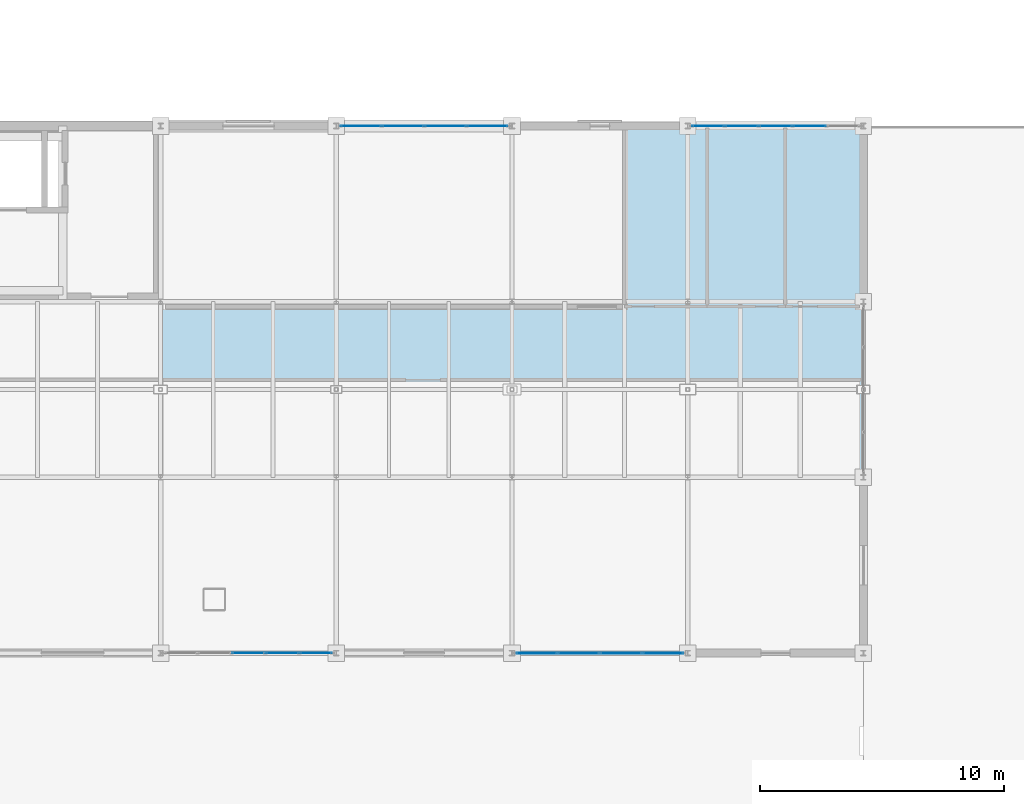
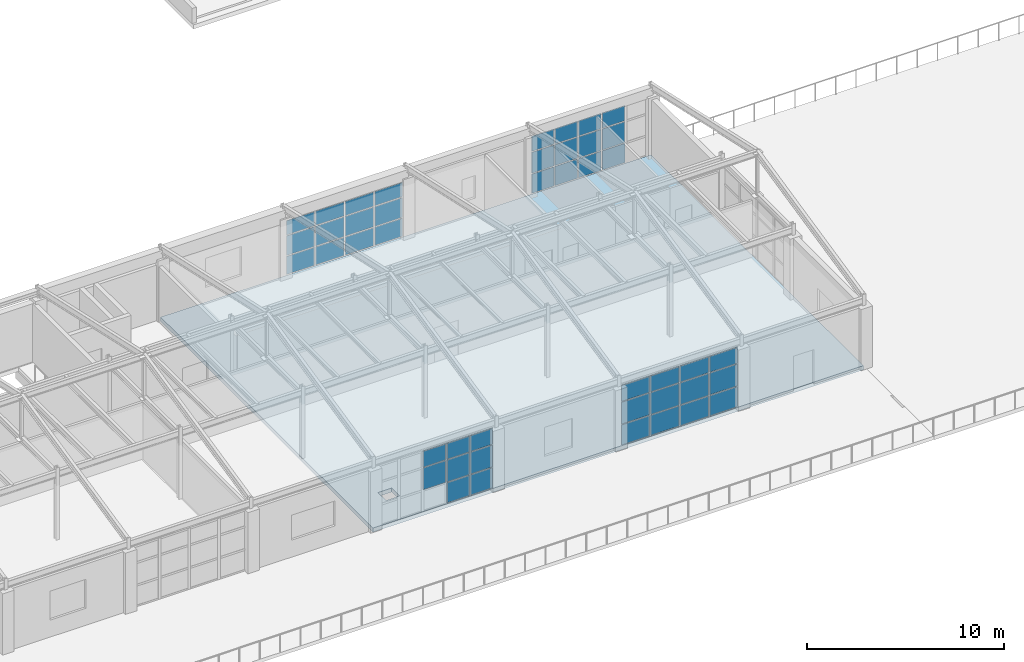
# One storey, part 85 of 101: 44 plates, 1 slab, 4 elements without a shape of their own.
"""IFC4 building model written with IfcOpenShell, lengths in metres."""

from ifc_helpers import new_model, si_unit, direction, frame, origin, origin_2d, place, context, subcontext, project, spatial, polyline, rectangle, outline, extrude, material, layer, layer_set, type_object, element, aggregate, save


model = new_model("IFC4")

# Units and contexts
model_context = context("Model", 3, precision=1e-05, world=origin(), true_north=direction((0.0, 1.0)))
body_context = subcontext(model_context, "Body", "Model", "MODEL_VIEW")
ifc_project = project(units=[si_unit("LENGTHUNIT", "METRE"), si_unit("AREAUNIT", "SQUARE_METRE"), si_unit("VOLUMEUNIT", "CUBIC_METRE"), si_unit("PLANEANGLEUNIT", "RADIAN"), si_unit("MASSUNIT", "GRAM", prefix="KILO")], contexts=[model_context])

# Site, building, storey
site_placement = place(None, origin())
site = spatial("IfcSite", under=ifc_project, at=site_placement, CompositionType="ELEMENT")
building_placement = place(site_placement, origin())
building = spatial("IfcBuilding", under=site, at=building_placement, Name="Kemerveld Promenade Tramway Depot", CompositionType="ELEMENT")
storey_placement = place(building_placement, frame((0.0, 0.0, 9.89990234375)))
storey = spatial("IfcBuildingStorey", under=building, at=storey_placement, Name="L02", CompositionType="ELEMENT", Elevation=9.89990234375)

# Curtain wall, plates
ifc_material_1 = material(Name="Bronze anodised aluminium and solar glass", Category="aluminium")
ifc_layer_1 = layer(ifc_material_1, 0.159912109375)
ifc_layer_set_1 = layer_set([ifc_layer_1], Name="CW-SYS-11")
curtain_wall_type_1 = type_object("IfcCurtainWallType", Name="CW-SYS-11", PredefinedType="USERDEFINED", material=ifc_layer_set_1)
curtain_wall_1_placement = place(storey_placement, origin())
curtain_wall_1 = element("IfcCurtainWall", 1, at=curtain_wall_1_placement, inside=storey, type_object=curtain_wall_type_1, Name="CW-L02-V4N-08", ObjectType="GLAZED_CURTAIN_WALL", PredefinedType="USERDEFINED")
ifc_material_2 = material(Name="Solar-control laminated double glazing", Category="glass")
ifc_layer_2 = layer(ifc_material_2, 0.028076171875)
ifc_layer_set_2 = layer_set([ifc_layer_2], Name="CW-PNL-03")
plate_type_1 = type_object("IfcPlateType", Name="CW-PNL-03", PredefinedType="CURTAIN_PANEL", material=ifc_layer_set_2)
plate_1_placement = place(storey_placement, frame((109.009765625, 28.800048828125, 0.06005859375), z_axis=(0.0, 0.0, 1.0), x_axis=(1.0, 0.0, 0.0)))
plate_1 = element("IfcPlate", 2, at=plate_1_placement, type_object=plate_type_1, Name="CW11 panel 1.1", PredefinedType="CURTAIN_PANEL", context=body_context, shape_type="SweptSolid", body=[
    extrude(rectangle(XDim=1.64013671875, YDim=0.028076171875, at=origin_2d()), origin(), (0.0, 0.0, 1.0), 1.118896484375),
])
plate_2_placement = place(storey_placement, frame((109.009765625, 28.800048828125, 1.2392578125), z_axis=(0.0, 0.0, 1.0), x_axis=(1.0, 0.0, 0.0)))
plate_2 = element("IfcPlate", 3, at=plate_2_placement, type_object=plate_type_1, Name="CW11 panel 1.2", PredefinedType="CURTAIN_PANEL", context=body_context, shape_type="SweptSolid", body=[
    extrude(rectangle(XDim=1.64013671875, YDim=0.028076171875, at=origin_2d()), origin(), (0.0, 0.0, 1.0), 1.218994140625),
])
plate_3_placement = place(storey_placement, frame((109.009765625, 28.800048828125, 2.51806640625), z_axis=(0.0, 0.0, 1.0), x_axis=(1.0, 0.0, 0.0)))
plate_3 = element("IfcPlate", 4, at=plate_3_placement, type_object=plate_type_1, Name="CW11 panel 1.3", PredefinedType="CURTAIN_PANEL", context=body_context, shape_type="SweptSolid", body=[
    extrude(rectangle(XDim=1.64013671875, YDim=0.028076171875, at=origin_2d()), origin(), (0.0, 0.0, 1.0), 0.876953125),
])
plate_4_placement = place(storey_placement, frame((110.731201171875, 28.800048828125, 0.06005859375), z_axis=(0.0, 0.0, 1.0), x_axis=(1.0, 0.0, 0.0)))
plate_4 = element("IfcPlate", 5, at=plate_4_placement, type_object=plate_type_1, Name="CW11 panel 2.1", PredefinedType="CURTAIN_PANEL", context=body_context, shape_type="SweptSolid", body=[
    extrude(rectangle(XDim=1.672607421875, YDim=0.028076171875, at=origin_2d()), origin(), (0.0, 0.0, 1.0), 1.118896484375),
])
plate_5_placement = place(storey_placement, frame((110.731201171875, 28.800048828125, 1.2392578125), z_axis=(0.0, 0.0, 1.0), x_axis=(1.0, 0.0, 0.0)))
plate_5 = element("IfcPlate", 6, at=plate_5_placement, type_object=plate_type_1, Name="CW11 panel 2.2", PredefinedType="CURTAIN_PANEL", context=body_context, shape_type="SweptSolid", body=[
    extrude(rectangle(XDim=1.672607421875, YDim=0.028076171875, at=origin_2d()), origin(), (0.0, 0.0, 1.0), 1.218994140625),
])
plate_6_placement = place(storey_placement, frame((110.731201171875, 28.800048828125, 2.51806640625), z_axis=(0.0, 0.0, 1.0), x_axis=(1.0, 0.0, 0.0)))
plate_6 = element("IfcPlate", 7, at=plate_6_placement, type_object=plate_type_1, Name="CW11 panel 2.3", PredefinedType="CURTAIN_PANEL", context=body_context, shape_type="SweptSolid", body=[
    extrude(rectangle(XDim=1.672607421875, YDim=0.028076171875, at=origin_2d()), origin(), (0.0, 0.0, 1.0), 0.876953125),
])
plate_7_placement = place(storey_placement, frame((112.46875, 28.800048828125, 0.06005859375), z_axis=(0.0, 0.0, 1.0), x_axis=(1.0, 0.0, 0.0)))
plate_7 = element("IfcPlate", 8, at=plate_7_placement, type_object=plate_type_1, Name="CW11 panel 3.1", PredefinedType="CURTAIN_PANEL", context=body_context, shape_type="SweptSolid", body=[
    extrude(rectangle(XDim=1.672607421875, YDim=0.028076171875, at=origin_2d()), origin(), (0.0, 0.0, 1.0), 1.118896484375),
])
plate_8_placement = place(storey_placement, frame((112.46875, 28.800048828125, 1.2392578125), z_axis=(0.0, 0.0, 1.0), x_axis=(1.0, 0.0, 0.0)))
plate_8 = element("IfcPlate", 9, at=plate_8_placement, type_object=plate_type_1, Name="CW11 panel 3.2", PredefinedType="CURTAIN_PANEL", context=body_context, shape_type="SweptSolid", body=[
    extrude(rectangle(XDim=1.672607421875, YDim=0.028076171875, at=origin_2d()), origin(), (0.0, 0.0, 1.0), 1.218994140625),
])
plate_9_placement = place(storey_placement, frame((112.46875, 28.800048828125, 2.51806640625), z_axis=(0.0, 0.0, 1.0), x_axis=(1.0, 0.0, 0.0)))
plate_9 = element("IfcPlate", 10, at=plate_9_placement, type_object=plate_type_1, Name="CW11 panel 3.3", PredefinedType="CURTAIN_PANEL", context=body_context, shape_type="SweptSolid", body=[
    extrude(rectangle(XDim=1.672607421875, YDim=0.028076171875, at=origin_2d()), origin(), (0.0, 0.0, 1.0), 0.876953125),
])
plate_10_placement = place(storey_placement, frame((114.190185546875, 28.800048828125, 0.06005859375), z_axis=(0.0, 0.0, 1.0), x_axis=(1.0, 0.0, 0.0)))
plate_10 = element("IfcPlate", 11, at=plate_10_placement, type_object=plate_type_1, Name="CW11 panel 4.1", PredefinedType="CURTAIN_PANEL", context=body_context, shape_type="SweptSolid", body=[
    extrude(rectangle(XDim=1.64013671875, YDim=0.028076171875, at=origin_2d()), origin(), (0.0, 0.0, 1.0), 1.118896484375),
])
plate_11_placement = place(storey_placement, frame((114.190185546875, 28.800048828125, 1.2392578125), z_axis=(0.0, 0.0, 1.0), x_axis=(1.0, 0.0, 0.0)))
plate_11 = element("IfcPlate", 12, at=plate_11_placement, type_object=plate_type_1, Name="CW11 panel 4.2", PredefinedType="CURTAIN_PANEL", context=body_context, shape_type="SweptSolid", body=[
    extrude(rectangle(XDim=1.64013671875, YDim=0.028076171875, at=origin_2d()), origin(), (0.0, 0.0, 1.0), 1.218994140625),
])
plate_12_placement = place(storey_placement, frame((114.190185546875, 28.800048828125, 2.51806640625), z_axis=(0.0, 0.0, 1.0), x_axis=(1.0, 0.0, 0.0)))
plate_12 = element("IfcPlate", 13, at=plate_12_placement, type_object=plate_type_1, Name="CW11 panel 4.3", PredefinedType="CURTAIN_PANEL", context=body_context, shape_type="SweptSolid", body=[
    extrude(rectangle(XDim=1.64013671875, YDim=0.028076171875, at=origin_2d()), origin(), (0.0, 0.0, 1.0), 0.876953125),
])
aggregate(curtain_wall_1, [plate_1, plate_2, plate_3, plate_4, plate_5, plate_6, plate_7, plate_8, plate_9, plate_10, plate_11, plate_12])

ifc_layer_3 = layer(ifc_material_1, 0.159912109375)
ifc_layer_set_3 = layer_set([ifc_layer_3], Name="CW-SYS-05")
curtain_wall_type_2 = type_object("IfcCurtainWallType", Name="CW-SYS-05", PredefinedType="USERDEFINED", material=ifc_layer_set_3)
curtain_wall_2_placement = place(storey_placement, origin())
curtain_wall_2 = element("IfcCurtainWall", 14, at=curtain_wall_2_placement, inside=storey, type_object=curtain_wall_type_2, Name="CW-L02-V4S-02", ObjectType="GLAZED_CURTAIN_WALL", PredefinedType="USERDEFINED")
ifc_layer_4 = layer(ifc_material_2, 0.031982421875)
ifc_layer_set_4 = layer_set([ifc_layer_4], Name="CW-PNL-05")
plate_type_2 = type_object("IfcPlateType", Name="CW-PNL-05", PredefinedType="CURTAIN_PANEL", material=ifc_layer_set_4)
plate_13_placement = place(storey_placement, frame((121.39013671875, 7.199951171875, 0.06005859375), z_axis=(0.0, 0.0, 1.0), x_axis=(-1.0, 0.0, 0.0)))
plate_13 = element("IfcPlate", 15, at=plate_13_placement, type_object=plate_type_2, Name="CW05 panel 1.1", PredefinedType="CURTAIN_PANEL", context=body_context, shape_type="SweptSolid", body=[
    extrude(rectangle(XDim=1.64013671875, YDim=0.031982421875, at=origin_2d()), origin(), (0.0, 0.0, 1.0), 1.239990234375),
])
plate_14_placement = place(storey_placement, frame((121.39013671875, 7.199951171875, 1.3603515625), z_axis=(0.0, 0.0, 1.0), x_axis=(-1.0, 0.0, 0.0)))
plate_14 = element("IfcPlate", 16, at=plate_14_placement, type_object=plate_type_2, Name="CW05 panel 1.2", PredefinedType="CURTAIN_PANEL", context=body_context, shape_type="SweptSolid", body=[
    extrude(rectangle(XDim=1.64013671875, YDim=0.031982421875, at=origin_2d()), origin(), (0.0, 0.0, 1.0), 1.345947265625),
])
plate_15_placement = place(storey_placement, frame((121.39013671875, 7.199951171875, 2.76611328125), z_axis=(0.0, 0.0, 1.0), x_axis=(-1.0, 0.0, 0.0)))
plate_15 = element("IfcPlate", 17, at=plate_15_placement, type_object=plate_type_2, Name="CW05 panel 1.3", PredefinedType="CURTAIN_PANEL", context=body_context, shape_type="SweptSolid", body=[
    extrude(rectangle(XDim=1.64013671875, YDim=0.031982421875, at=origin_2d()), origin(), (0.0, 0.0, 1.0), 0.97412109375),
])
plate_16_placement = place(storey_placement, frame((119.668701171875, 7.199951171875, 0.06005859375), z_axis=(0.0, 0.0, 1.0), x_axis=(-1.0, 0.0, 0.0)))
plate_16 = element("IfcPlate", 18, at=plate_16_placement, type_object=plate_type_2, Name="CW05 panel 2.1", PredefinedType="CURTAIN_PANEL", context=body_context, shape_type="SweptSolid", body=[
    extrude(rectangle(XDim=1.672607421875, YDim=0.031982421875, at=origin_2d()), origin(), (0.0, 0.0, 1.0), 1.239990234375),
])
plate_17_placement = place(storey_placement, frame((119.668701171875, 7.199951171875, 1.3603515625), z_axis=(0.0, 0.0, 1.0), x_axis=(-1.0, 0.0, 0.0)))
plate_17 = element("IfcPlate", 19, at=plate_17_placement, type_object=plate_type_2, Name="CW05 panel 2.2", PredefinedType="CURTAIN_PANEL", context=body_context, shape_type="SweptSolid", body=[
    extrude(rectangle(XDim=1.672607421875, YDim=0.031982421875, at=origin_2d()), origin(), (0.0, 0.0, 1.0), 1.345947265625),
])
plate_18_placement = place(storey_placement, frame((119.668701171875, 7.199951171875, 2.76611328125), z_axis=(0.0, 0.0, 1.0), x_axis=(-1.0, 0.0, 0.0)))
plate_18 = element("IfcPlate", 20, at=plate_18_placement, type_object=plate_type_2, Name="CW05 panel 2.3", PredefinedType="CURTAIN_PANEL", context=body_context, shape_type="SweptSolid", body=[
    extrude(rectangle(XDim=1.672607421875, YDim=0.031982421875, at=origin_2d()), origin(), (0.0, 0.0, 1.0), 0.97412109375),
])
plate_19_placement = place(storey_placement, frame((117.93115234375, 7.199951171875, 0.06005859375), z_axis=(0.0, 0.0, 1.0), x_axis=(-1.0, 0.0, 0.0)))
plate_19 = element("IfcPlate", 21, at=plate_19_placement, type_object=plate_type_2, Name="CW05 panel 3.1", PredefinedType="CURTAIN_PANEL", context=body_context, shape_type="SweptSolid", body=[
    extrude(rectangle(XDim=1.672607421875, YDim=0.031982421875, at=origin_2d()), origin(), (0.0, 0.0, 1.0), 1.239990234375),
])
plate_20_placement = place(storey_placement, frame((117.93115234375, 7.199951171875, 1.3603515625), z_axis=(0.0, 0.0, 1.0), x_axis=(-1.0, 0.0, 0.0)))
plate_20 = element("IfcPlate", 22, at=plate_20_placement, type_object=plate_type_2, Name="CW05 panel 3.2", PredefinedType="CURTAIN_PANEL", context=body_context, shape_type="SweptSolid", body=[
    extrude(rectangle(XDim=1.672607421875, YDim=0.031982421875, at=origin_2d()), origin(), (0.0, 0.0, 1.0), 1.345947265625),
])
plate_21_placement = place(storey_placement, frame((117.93115234375, 7.199951171875, 2.76611328125), z_axis=(0.0, 0.0, 1.0), x_axis=(-1.0, 0.0, 0.0)))
plate_21 = element("IfcPlate", 23, at=plate_21_placement, type_object=plate_type_2, Name="CW05 panel 3.3", PredefinedType="CURTAIN_PANEL", context=body_context, shape_type="SweptSolid", body=[
    extrude(rectangle(XDim=1.672607421875, YDim=0.031982421875, at=origin_2d()), origin(), (0.0, 0.0, 1.0), 0.97412109375),
])
plate_22_placement = place(storey_placement, frame((116.2099609375, 7.199951171875, 0.06005859375), z_axis=(0.0, 0.0, 1.0), x_axis=(-1.0, 0.0, 0.0)))
plate_22 = element("IfcPlate", 24, at=plate_22_placement, type_object=plate_type_2, Name="CW05 panel 4.1", PredefinedType="CURTAIN_PANEL", context=body_context, shape_type="SweptSolid", body=[
    extrude(rectangle(XDim=1.64013671875, YDim=0.031982421875, at=origin_2d()), origin(), (0.0, 0.0, 1.0), 1.239990234375),
])
plate_23_placement = place(storey_placement, frame((116.2099609375, 7.199951171875, 1.3603515625), z_axis=(0.0, 0.0, 1.0), x_axis=(-1.0, 0.0, 0.0)))
plate_23 = element("IfcPlate", 25, at=plate_23_placement, type_object=plate_type_2, Name="CW05 panel 4.2", PredefinedType="CURTAIN_PANEL", context=body_context, shape_type="SweptSolid", body=[
    extrude(rectangle(XDim=1.64013671875, YDim=0.031982421875, at=origin_2d()), origin(), (0.0, 0.0, 1.0), 1.345947265625),
])
plate_24_placement = place(storey_placement, frame((116.2099609375, 7.199951171875, 2.76611328125), z_axis=(0.0, 0.0, 1.0), x_axis=(-1.0, 0.0, 0.0)))
plate_24 = element("IfcPlate", 26, at=plate_24_placement, type_object=plate_type_2, Name="CW05 panel 4.3", PredefinedType="CURTAIN_PANEL", context=body_context, shape_type="SweptSolid", body=[
    extrude(rectangle(XDim=1.64013671875, YDim=0.031982421875, at=origin_2d()), origin(), (0.0, 0.0, 1.0), 0.97412109375),
])
aggregate(curtain_wall_2, [plate_13, plate_14, plate_15, plate_16, plate_17, plate_18, plate_19, plate_20, plate_21, plate_22, plate_23, plate_24])

ifc_layer_5 = layer(ifc_material_1, 0.159912109375)
ifc_layer_set_5 = layer_set([ifc_layer_5], Name="CW-SYS-13")
curtain_wall_type_3 = type_object("IfcCurtainWallType", Name="CW-SYS-13", PredefinedType="USERDEFINED", material=ifc_layer_set_5)
curtain_wall_3_placement = place(storey_placement, origin())
curtain_wall_3 = element("IfcCurtainWall", 27, at=curtain_wall_3_placement, inside=storey, type_object=curtain_wall_type_3, Name="CW-L02-V4N-10", ObjectType="GLAZED_CURTAIN_WALL", PredefinedType="USERDEFINED")
plate_25_placement = place(storey_placement, frame((123.236083984375, 28.800048828125, 0.06005859375), z_axis=(0.0, 0.0, 1.0), x_axis=(1.0, 0.0, 0.0)))
plate_25 = element("IfcPlate", 28, at=plate_25_placement, type_object=plate_type_2, Name="CW13 panel 1.1", PredefinedType="CURTAIN_PANEL", context=body_context, shape_type="SweptSolid", body=[
    extrude(rectangle(XDim=1.29248046875, YDim=0.031982421875, at=origin_2d()), origin(), (0.0, 0.0, 1.0), 1.18896484375),
])
plate_26_placement = place(storey_placement, frame((123.236083984375, 28.800048828125, 1.30908203125), z_axis=(0.0, 0.0, 1.0), x_axis=(1.0, 0.0, 0.0)))
plate_26 = element("IfcPlate", 29, at=plate_26_placement, type_object=plate_type_2, Name="CW13 panel 1.2", PredefinedType="CURTAIN_PANEL", context=body_context, shape_type="SweptSolid", body=[
    extrude(rectangle(XDim=1.29248046875, YDim=0.031982421875, at=origin_2d()), origin(), (0.0, 0.0, 1.0), 1.29296875),
])
plate_27_placement = place(storey_placement, frame((123.236083984375, 28.800048828125, 2.662109375), z_axis=(0.0, 0.0, 1.0), x_axis=(1.0, 0.0, 0.0)))
plate_27 = element("IfcPlate", 30, at=plate_27_placement, type_object=plate_type_2, Name="CW13 panel 1.3", PredefinedType="CURTAIN_PANEL", context=body_context, shape_type="SweptSolid", body=[
    extrude(rectangle(XDim=1.29248046875, YDim=0.031982421875, at=origin_2d()), origin(), (0.0, 0.0, 1.0), 0.93310546875),
])
plate_28_placement = place(storey_placement, frame((124.60986328125, 28.800048828125, 0.06005859375), z_axis=(0.0, 0.0, 1.0), x_axis=(1.0, 0.0, 0.0)))
plate_28 = element("IfcPlate", 31, at=plate_28_placement, type_object=plate_type_2, Name="CW13 panel 2.1", PredefinedType="CURTAIN_PANEL", context=body_context, shape_type="SweptSolid", body=[
    extrude(rectangle(XDim=1.3251953125, YDim=0.031982421875, at=origin_2d()), origin(), (0.0, 0.0, 1.0), 1.18896484375),
])
plate_29_placement = place(storey_placement, frame((124.60986328125, 28.800048828125, 1.30908203125), z_axis=(0.0, 0.0, 1.0), x_axis=(1.0, 0.0, 0.0)))
plate_29 = element("IfcPlate", 32, at=plate_29_placement, type_object=plate_type_2, Name="CW13 panel 2.2", PredefinedType="CURTAIN_PANEL", context=body_context, shape_type="SweptSolid", body=[
    extrude(rectangle(XDim=1.3251953125, YDim=0.031982421875, at=origin_2d()), origin(), (0.0, 0.0, 1.0), 1.29296875),
])
plate_30_placement = place(storey_placement, frame((124.60986328125, 28.800048828125, 2.662109375), z_axis=(0.0, 0.0, 1.0), x_axis=(1.0, 0.0, 0.0)))
plate_30 = element("IfcPlate", 33, at=plate_30_placement, type_object=plate_type_2, Name="CW13 panel 2.3", PredefinedType="CURTAIN_PANEL", context=body_context, shape_type="SweptSolid", body=[
    extrude(rectangle(XDim=1.3251953125, YDim=0.031982421875, at=origin_2d()), origin(), (0.0, 0.0, 1.0), 0.93310546875),
])
plate_31_placement = place(storey_placement, frame((126.0, 28.800048828125, 0.06005859375), z_axis=(0.0, 0.0, 1.0), x_axis=(1.0, 0.0, 0.0)))
plate_31 = element("IfcPlate", 34, at=plate_31_placement, type_object=plate_type_2, Name="CW13 panel 3.1", PredefinedType="CURTAIN_PANEL", context=body_context, shape_type="SweptSolid", body=[
    extrude(rectangle(XDim=1.3251953125, YDim=0.031982421875, at=origin_2d()), origin(), (0.0, 0.0, 1.0), 1.18896484375),
])
plate_32_placement = place(storey_placement, frame((126.0, 28.800048828125, 1.30908203125), z_axis=(0.0, 0.0, 1.0), x_axis=(1.0, 0.0, 0.0)))
plate_32 = element("IfcPlate", 35, at=plate_32_placement, type_object=plate_type_2, Name="CW13 panel 3.2", PredefinedType="CURTAIN_PANEL", context=body_context, shape_type="SweptSolid", body=[
    extrude(rectangle(XDim=1.3251953125, YDim=0.031982421875, at=origin_2d()), origin(), (0.0, 0.0, 1.0), 1.29296875),
])
plate_33_placement = place(storey_placement, frame((126.0, 28.800048828125, 2.662109375), z_axis=(0.0, 0.0, 1.0), x_axis=(1.0, 0.0, 0.0)))
plate_33 = element("IfcPlate", 36, at=plate_33_placement, type_object=plate_type_2, Name="CW13 panel 3.3", PredefinedType="CURTAIN_PANEL", context=body_context, shape_type="SweptSolid", body=[
    extrude(rectangle(XDim=1.3251953125, YDim=0.031982421875, at=origin_2d()), origin(), (0.0, 0.0, 1.0), 0.93310546875),
])
plate_34_placement = place(storey_placement, frame((127.39013671875, 28.800048828125, 0.06005859375), z_axis=(0.0, 0.0, 1.0), x_axis=(1.0, 0.0, 0.0)))
plate_34 = element("IfcPlate", 37, at=plate_34_placement, type_object=plate_type_2, Name="CW13 panel 4.1", PredefinedType="CURTAIN_PANEL", context=body_context, shape_type="SweptSolid", body=[
    extrude(rectangle(XDim=1.3251953125, YDim=0.031982421875, at=origin_2d()), origin(), (0.0, 0.0, 1.0), 1.18896484375),
])
plate_35_placement = place(storey_placement, frame((127.39013671875, 28.800048828125, 1.30908203125), z_axis=(0.0, 0.0, 1.0), x_axis=(1.0, 0.0, 0.0)))
plate_35 = element("IfcPlate", 38, at=plate_35_placement, type_object=plate_type_2, Name="CW13 panel 4.2", PredefinedType="CURTAIN_PANEL", context=body_context, shape_type="SweptSolid", body=[
    extrude(rectangle(XDim=1.3251953125, YDim=0.031982421875, at=origin_2d()), origin(), (0.0, 0.0, 1.0), 1.29296875),
])
plate_36_placement = place(storey_placement, frame((127.39013671875, 28.800048828125, 2.662109375), z_axis=(0.0, 0.0, 1.0), x_axis=(1.0, 0.0, 0.0)))
plate_36 = element("IfcPlate", 39, at=plate_36_placement, type_object=plate_type_2, Name="CW13 panel 4.3", PredefinedType="CURTAIN_PANEL", context=body_context, shape_type="SweptSolid", body=[
    extrude(rectangle(XDim=1.3251953125, YDim=0.031982421875, at=origin_2d()), origin(), (0.0, 0.0, 1.0), 0.93310546875),
])
aggregate(curtain_wall_3, [plate_25, plate_26, plate_27, plate_28, plate_29, plate_30, plate_31, plate_32, plate_33, plate_34, plate_35, plate_36])

ifc_layer_6 = layer(ifc_material_1, 0.159912109375)
ifc_layer_set_6 = layer_set([ifc_layer_6], Name="CW-SYS-07")
curtain_wall_type_4 = type_object("IfcCurtainWallType", Name="CW-SYS-07", PredefinedType="USERDEFINED", material=ifc_layer_set_6)
curtain_wall_4_placement = place(storey_placement, origin())
curtain_wall_4 = element("IfcCurtainWall", 40, at=curtain_wall_4_placement, inside=storey, type_object=curtain_wall_type_4, Name="CW-L02-V4S-04", ObjectType="GLAZED_CURTAIN_WALL", PredefinedType="USERDEFINED")
ifc_layer_7 = layer(ifc_material_2, 0.030029296875)
ifc_layer_set_7 = layer_set([ifc_layer_7], Name="CW-PNL-07")
plate_type_3 = type_object("IfcPlateType", Name="CW-PNL-07", PredefinedType="CURTAIN_PANEL", material=ifc_layer_set_7)
plate_37_placement = place(storey_placement, frame((107.163818359375, 7.199951171875, 0.06005859375), z_axis=(0.0, 0.0, 1.0), x_axis=(-1.0, 0.0, 0.0)))
plate_37 = element("IfcPlate", 41, at=plate_37_placement, type_object=plate_type_3, Name="CW07 panel 1.1", PredefinedType="CURTAIN_PANEL", context=body_context, shape_type="SweptSolid", body=[
    extrude(rectangle(XDim=1.29248046875, YDim=0.030029296875, at=origin_2d()), origin(), (0.0, 0.0, 1.0), 1.239990234375),
])
plate_38_placement = place(storey_placement, frame((107.163818359375, 7.199951171875, 1.3603515625), z_axis=(0.0, 0.0, 1.0), x_axis=(-1.0, 0.0, 0.0)))
plate_38 = element("IfcPlate", 42, at=plate_38_placement, type_object=plate_type_3, Name="CW07 panel 1.2", PredefinedType="CURTAIN_PANEL", context=body_context, shape_type="SweptSolid", body=[
    extrude(rectangle(XDim=1.29248046875, YDim=0.030029296875, at=origin_2d()), origin(), (0.0, 0.0, 1.0), 1.345947265625),
])
plate_39_placement = place(storey_placement, frame((107.163818359375, 7.199951171875, 2.76611328125), z_axis=(0.0, 0.0, 1.0), x_axis=(-1.0, 0.0, 0.0)))
plate_39 = element("IfcPlate", 43, at=plate_39_placement, type_object=plate_type_3, Name="CW07 panel 1.3", PredefinedType="CURTAIN_PANEL", context=body_context, shape_type="SweptSolid", body=[
    extrude(rectangle(XDim=1.29248046875, YDim=0.030029296875, at=origin_2d()), origin(), (0.0, 0.0, 1.0), 0.97412109375),
])
plate_40_placement = place(storey_placement, frame((105.7900390625, 7.199951171875, 0.06005859375), z_axis=(0.0, 0.0, 1.0), x_axis=(-1.0, 0.0, 0.0)))
plate_40 = element("IfcPlate", 44, at=plate_40_placement, type_object=plate_type_3, Name="CW07 panel 2.1", PredefinedType="CURTAIN_PANEL", context=body_context, shape_type="SweptSolid", body=[
    extrude(rectangle(XDim=1.3251953125, YDim=0.030029296875, at=origin_2d()), origin(), (0.0, 0.0, 1.0), 1.239990234375),
])
plate_41_placement = place(storey_placement, frame((105.7900390625, 7.199951171875, 1.3603515625), z_axis=(0.0, 0.0, 1.0), x_axis=(-1.0, 0.0, 0.0)))
plate_41 = element("IfcPlate", 45, at=plate_41_placement, type_object=plate_type_3, Name="CW07 panel 2.2", PredefinedType="CURTAIN_PANEL", context=body_context, shape_type="SweptSolid", body=[
    extrude(rectangle(XDim=1.3251953125, YDim=0.030029296875, at=origin_2d()), origin(), (0.0, 0.0, 1.0), 1.345947265625),
])
plate_42_placement = place(storey_placement, frame((105.7900390625, 7.199951171875, 2.76611328125), z_axis=(0.0, 0.0, 1.0), x_axis=(-1.0, 0.0, 0.0)))
plate_42 = element("IfcPlate", 46, at=plate_42_placement, type_object=plate_type_3, Name="CW07 panel 2.3", PredefinedType="CURTAIN_PANEL", context=body_context, shape_type="SweptSolid", body=[
    extrude(rectangle(XDim=1.3251953125, YDim=0.030029296875, at=origin_2d()), origin(), (0.0, 0.0, 1.0), 0.97412109375),
])
plate_43_placement = place(storey_placement, frame((104.39990234375, 7.199951171875, 1.3603515625), z_axis=(0.0, 0.0, 1.0), x_axis=(-1.0, 0.0, 0.0)))
plate_43 = element("IfcPlate", 47, at=plate_43_placement, type_object=plate_type_3, Name="CW07 panel 3.2", PredefinedType="CURTAIN_PANEL", context=body_context, shape_type="SweptSolid", body=[
    extrude(rectangle(XDim=1.3251953125, YDim=0.030029296875, at=origin_2d()), origin(), (0.0, 0.0, 1.0), 1.345947265625),
])
plate_44_placement = place(storey_placement, frame((104.39990234375, 7.199951171875, 2.76611328125), z_axis=(0.0, 0.0, 1.0), x_axis=(-1.0, 0.0, 0.0)))
plate_44 = element("IfcPlate", 48, at=plate_44_placement, type_object=plate_type_3, Name="CW07 panel 3.3", PredefinedType="CURTAIN_PANEL", context=body_context, shape_type="SweptSolid", body=[
    extrude(rectangle(XDim=1.3251953125, YDim=0.030029296875, at=origin_2d()), origin(), (0.0, 0.0, 1.0), 0.97412109375),
])
aggregate(curtain_wall_4, [plate_37, plate_38, plate_39, plate_40, plate_41, plate_42, plate_43, plate_44])

# Slab
ifc_material_3 = material(Name="Concrete C35/45", Category="concrete")
ifc_layer_8 = layer(ifc_material_3, 0.25)
ifc_layer_set_8 = layer_set([ifc_layer_8], Name="SL-FL02")
slab_type = type_object("IfcSlabType", Name="SL-FL02", PredefinedType="FLOOR", material=ifc_layer_set_8)
slab_placement = place(storey_placement, frame((0.0, 0.0, -0.25)))
element("IfcSlab", 49, at=slab_placement, inside=storey, type_object=slab_type, Name="SLB-L02-V4B", PredefinedType="FLOOR", context=body_context, shape_type="SweptSolid", body=[
    extrude(outline(polyline([(100.800048828125, 7.199951171875), (129.60009765625, 7.199951171875), (129.60009765625, 28.800048828125), (100.800048828125, 28.800048828125), (100.800048828125, 7.199951171875)]), holes=[polyline([(102.60009765625, 9.0), (103.39990234375, 9.0), (103.39990234375, 9.800048828125), (102.60009765625, 9.800048828125), (102.60009765625, 9.0)])]), origin(), (0.0, 0.0, 1.0), 0.25),
])

save(model, "model.ifc")
